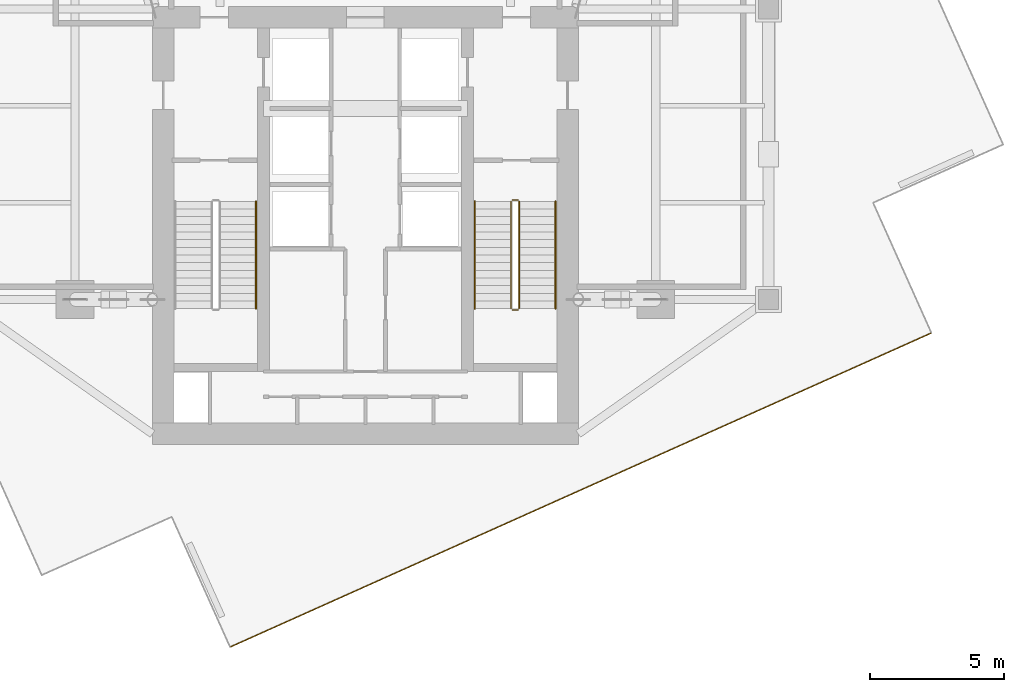
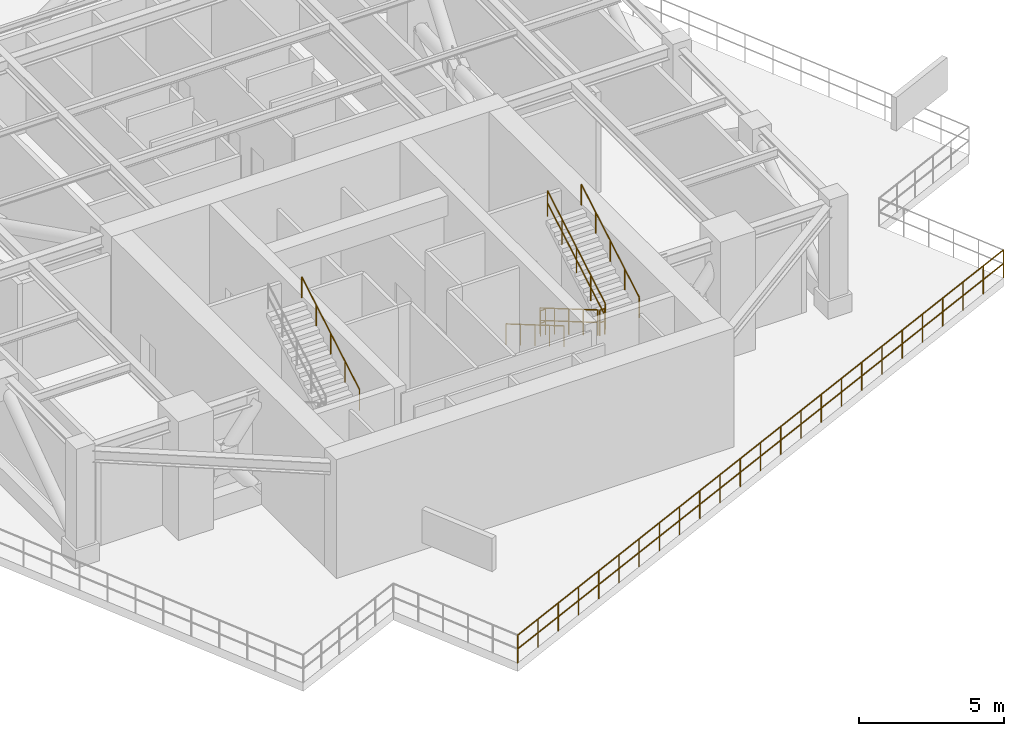
# One storey, part 7 of 8: 8 railings.
"""IFC4 building model written with IfcOpenShell, lengths in metres."""

from ifc_helpers import new_model, si_unit, direction, frame, origin, origin_2d, place, context, subcontext, project, spatial, circle, extrude, material, layer, layer_set, type_object, element, save


model = new_model("IFC4")

# Units and contexts
model_context = context("Model", 3, precision=1e-05, world=origin(), true_north=direction((0.0, 1.0)))
body_context = subcontext(model_context, "Body", "Model", "MODEL_VIEW")
ifc_project = project(units=[si_unit("LENGTHUNIT", "METRE"), si_unit("AREAUNIT", "SQUARE_METRE"), si_unit("VOLUMEUNIT", "CUBIC_METRE"), si_unit("PLANEANGLEUNIT", "RADIAN"), si_unit("MASSUNIT", "GRAM", prefix="KILO")], contexts=[model_context])

# Site, building, storey
site_placement = place(None, origin())
site = spatial("IfcSite", under=ifc_project, at=site_placement, CompositionType="ELEMENT")
building_placement = place(site_placement, origin())
building = spatial("IfcBuilding", under=site, at=building_placement, Name="Krantzveldt Concourse Tower", CompositionType="ELEMENT")
storey_placement = place(building_placement, frame((0.0, 0.0, 318.75)))
storey = spatial("IfcBuildingStorey", under=building, at=storey_placement, Name="L78", CompositionType="ELEMENT", Elevation=318.75)

# Railings
ifc_material = material(Name="Stainless steel 316L", Category="steel")
ifc_layer_1 = layer(ifc_material, 0.080078125, Name="Stainless steel 316L", Category="steel")
ifc_layer_set_1 = layer_set([ifc_layer_1], Name="Stainless steel 316L (RL-BALUSTRADE-1150)")
railing_type_1 = type_object("IfcRailingType", Name="RL-BALUSTRADE-1150", PredefinedType="BALUSTRADE", material=ifc_layer_set_1)
railing_1_placement = place(storey_placement, frame((30.960205078125, 2.967041015625, 0.0)))
element("IfcRailing", 1, at=railing_1_placement, inside=storey, type_object=railing_type_1, Name="GD-L78-WIND-08", PredefinedType="BALUSTRADE", context=body_context, shape_type="SweptSolid", body=[
    extrude(circle(Radius=0.02392578125, at=origin_2d()), frame((0.0, 0.0, 1.17578125), z_axis=(0.912654301784, 0.408732339601, 0.0), x_axis=(-0.408732339601, 0.912654301784, 0.0)), (0.0, 0.0, 1.0), 28.599853515625),
    extrude(circle(Radius=0.02392578125, at=origin_2d()), frame((0.0, 0.0, 0.60009765625), z_axis=(0.912654301784, 0.408732339601, 0.0), x_axis=(-0.408732339601, 0.912654301784, 0.0)), (0.0, 0.0, 1.0), 28.599853515625),
    extrude(circle(Radius=0.02099609375, at=origin_2d()), origin(), (0.0, 0.0, 1.0), 1.15185546875),
    extrude(circle(Radius=0.02099609375, at=origin_2d()), frame((1.087646484375, 0.487060546875, 0.0)), (0.0, 0.0, 1.0), 1.15185546875),
    extrude(circle(Radius=0.02099609375, at=origin_2d()), frame((2.175048828125, 0.97412109375, 0.0)), (0.0, 0.0, 1.0), 1.15185546875),
    extrude(circle(Radius=0.02099609375, at=origin_2d()), frame((3.2626953125, 1.461181640625, 0.0)), (0.0, 0.0, 1.0), 1.15185546875),
    extrude(circle(Radius=0.02099609375, at=origin_2d()), frame((4.350341796875, 1.9482421875, 0.0)), (0.0, 0.0, 1.0), 1.15185546875),
    extrude(circle(Radius=0.02099609375, at=origin_2d()), frame((5.43798828125, 2.435302734375, 0.0)), (0.0, 0.0, 1.0), 1.15185546875),
    extrude(circle(Radius=0.02099609375, at=origin_2d()), frame((6.525390625, 2.92236328125, 0.0)), (0.0, 0.0, 1.0), 1.15185546875),
    extrude(circle(Radius=0.02099609375, at=origin_2d()), frame((7.613037109375, 3.409423828125, 0.0)), (0.0, 0.0, 1.0), 1.15185546875),
    extrude(circle(Radius=0.02099609375, at=origin_2d()), frame((8.70068359375, 3.896484375, 0.0)), (0.0, 0.0, 1.0), 1.15185546875),
    extrude(circle(Radius=0.02099609375, at=origin_2d()), frame((9.7880859375, 4.383544921875, 0.0)), (0.0, 0.0, 1.0), 1.15185546875),
    extrude(circle(Radius=0.02099609375, at=origin_2d()), frame((10.875732421875, 4.87060546875, 0.0)), (0.0, 0.0, 1.0), 1.15185546875),
    extrude(circle(Radius=0.02099609375, at=origin_2d()), frame((11.96337890625, 5.357666015625, 0.0)), (0.0, 0.0, 1.0), 1.15185546875),
    extrude(circle(Radius=0.02099609375, at=origin_2d()), frame((13.05078125, 5.8447265625, 0.0)), (0.0, 0.0, 1.0), 1.15185546875),
    extrude(circle(Radius=0.02099609375, at=origin_2d()), frame((14.138427734375, 6.33203125, 0.0)), (0.0, 0.0, 1.0), 1.15185546875),
    extrude(circle(Radius=0.02099609375, at=origin_2d()), frame((15.22607421875, 6.819091796875, 0.0)), (0.0, 0.0, 1.0), 1.15185546875),
    extrude(circle(Radius=0.02099609375, at=origin_2d()), frame((16.313720703125, 7.30615234375, 0.0)), (0.0, 0.0, 1.0), 1.15185546875),
    extrude(circle(Radius=0.02099609375, at=origin_2d()), frame((17.401123046875, 7.793212890625, 0.0)), (0.0, 0.0, 1.0), 1.15185546875),
    extrude(circle(Radius=0.02099609375, at=origin_2d()), frame((18.48876953125, 8.2802734375, 0.0)), (0.0, 0.0, 1.0), 1.15185546875),
    extrude(circle(Radius=0.02099609375, at=origin_2d()), frame((19.576416015625, 8.767333984375, 0.0)), (0.0, 0.0, 1.0), 1.15185546875),
    extrude(circle(Radius=0.02099609375, at=origin_2d()), frame((20.663818359375, 9.25439453125, 0.0)), (0.0, 0.0, 1.0), 1.15185546875),
    extrude(circle(Radius=0.02099609375, at=origin_2d()), frame((21.75146484375, 9.741455078125, 0.0)), (0.0, 0.0, 1.0), 1.15185546875),
    extrude(circle(Radius=0.02099609375, at=origin_2d()), frame((22.839111328125, 10.228515625, 0.0)), (0.0, 0.0, 1.0), 1.15185546875),
    extrude(circle(Radius=0.02099609375, at=origin_2d()), frame((23.9267578125, 10.715576171875, 0.0)), (0.0, 0.0, 1.0), 1.15185546875),
    extrude(circle(Radius=0.02099609375, at=origin_2d()), frame((25.01416015625, 11.20263671875, 0.0)), (0.0, 0.0, 1.0), 1.15185546875),
    extrude(circle(Radius=0.02099609375, at=origin_2d()), frame((26.101806640625, 11.689697265625, 0.0)), (0.0, 0.0, 1.0), 1.15185546875),
])
ifc_layer_2 = layer(ifc_material, 0.06005859375, Name="Stainless steel 316L", Category="steel")
ifc_layer_set_2 = layer_set([ifc_layer_2], Name="Stainless steel 316L (RL-GUARD-1120)")
railing_type_2 = type_object("IfcRailingType", Name="RL-GUARD-1120", PredefinedType="GUARDRAIL", material=ifc_layer_set_2)
railing_2_placement = place(storey_placement, frame((41.419921875, 19.550048828125, 0.166748046875)))
element("IfcRailing", 2, at=railing_2_placement, inside=storey, type_object=railing_type_2, Name="L78 ST-2 stair guard 1", PredefinedType="GUARDRAIL", context=body_context, shape_type="SweptSolid", body=[
    extrude(circle(Radius=0.02392578125, at=origin_2d()), frame((0.0, 0.0, 1.076171875), z_axis=(0.0, -0.863236243904, 0.504800145811), x_axis=(1.0, 0.0, 0.0)), (0.0, 0.0, 1.0), 4.6220703125),
    extrude(circle(Radius=0.02392578125, at=origin_2d()), frame((0.0, 0.0, 0.550048828125), z_axis=(0.0, -0.863236243904, 0.504800145811), x_axis=(1.0, 0.0, 0.0)), (0.0, 0.0, 1.0), 4.6220703125),
    extrude(circle(Radius=0.02099609375, at=origin_2d()), origin(), (0.0, 0.0, 1.0), 1.052001953125),
    extrude(circle(Radius=0.02099609375, at=origin_2d()), frame((0.0, -0.99755859375, 0.583251953125)), (0.0, 0.0, 1.0), 1.052001953125),
    extrude(circle(Radius=0.02099609375, at=origin_2d()), frame((0.0, -1.9951171875, 1.16650390625)), (0.0, 0.0, 1.0), 1.052001953125),
    extrude(circle(Radius=0.02099609375, at=origin_2d()), frame((0.0, -2.992431640625, 1.75)), (0.0, 0.0, 1.0), 1.052001953125),
    extrude(circle(Radius=0.02099609375, at=origin_2d()), frame((0.0, -3.989990234375, 2.333251953125)), (0.0, 0.0, 1.0), 1.052001953125),
])
railing_3_placement = place(storey_placement, frame((41.469970703125, 15.510009765625, 2.5)))
element("IfcRailing", 3, at=railing_3_placement, inside=storey, type_object=railing_type_2, Name="L78 ST-2 stair guard 2", PredefinedType="GUARDRAIL", context=body_context, shape_type="SweptSolid", body=[
    extrude(circle(Radius=0.02392578125, at=origin_2d()), frame((0.0, 0.0, 1.076171875), z_axis=(1.0, 0.0, 0.0), x_axis=(0.0, 1.0, 0.0)), (0.0, 0.0, 1.0), 0.199951171875),
    extrude(circle(Radius=0.02392578125, at=origin_2d()), frame((0.0, 0.0, 0.550048828125), z_axis=(1.0, 0.0, 0.0), x_axis=(0.0, 1.0, 0.0)), (0.0, 0.0, 1.0), 0.199951171875),
    extrude(circle(Radius=0.02099609375, at=origin_2d()), origin(), (0.0, 0.0, 1.0), 1.052001953125),
    extrude(circle(Radius=0.02099609375, at=origin_2d()), frame((0.199951171875, 0.0, 0.0)), (0.0, 0.0, 1.0), 1.052001953125),
])
railing_4_placement = place(storey_placement, frame((41.719970703125, 15.56005859375, 2.666748046875)))
element("IfcRailing", 4, at=railing_4_placement, inside=storey, type_object=railing_type_2, Name="L78 ST-2 stair guard 3", PredefinedType="GUARDRAIL", context=body_context, shape_type="SweptSolid", body=[
    extrude(circle(Radius=0.02392578125, at=origin_2d()), frame((0.0, 0.0, 1.076171875), z_axis=(0.0, 0.863236243904, 0.504800145811), x_axis=(-1.0, 0.0, 0.0)), (0.0, 0.0, 1.0), 4.6220703125),
    extrude(circle(Radius=0.02392578125, at=origin_2d()), frame((0.0, 0.0, 0.550048828125), z_axis=(0.0, 0.863236243904, 0.504800145811), x_axis=(-1.0, 0.0, 0.0)), (0.0, 0.0, 1.0), 4.6220703125),
    extrude(circle(Radius=0.02099609375, at=origin_2d()), origin(), (0.0, 0.0, 1.0), 1.052001953125),
    extrude(circle(Radius=0.02099609375, at=origin_2d()), frame((0.0, 0.99755859375, 0.583251953125)), (0.0, 0.0, 1.0), 1.052001953125),
    extrude(circle(Radius=0.02099609375, at=origin_2d()), frame((0.0, 1.9951171875, 1.16650390625)), (0.0, 0.0, 1.0), 1.052001953125),
    extrude(circle(Radius=0.02099609375, at=origin_2d()), frame((0.0, 2.992431640625, 1.75)), (0.0, 0.0, 1.0), 1.052001953125),
    extrude(circle(Radius=0.02099609375, at=origin_2d()), frame((0.0, 3.989990234375, 2.333251953125)), (0.0, 0.0, 1.0), 1.052001953125),
])
railing_5_placement = place(storey_placement, frame((41.469970703125, 19.60009765625, 0.0)))
element("IfcRailing", 5, at=railing_5_placement, inside=storey, type_object=railing_type_2, Name="L78 ST-2 stair guard 4", PredefinedType="GUARDRAIL", context=body_context, shape_type="SweptSolid", body=[
    extrude(circle(Radius=0.02392578125, at=origin_2d()), frame((0.0, 0.0, 1.076171875), z_axis=(1.0, 0.0, 0.0), x_axis=(0.0, 1.0, 0.0)), (0.0, 0.0, 1.0), 0.199951171875),
    extrude(circle(Radius=0.02392578125, at=origin_2d()), frame((0.0, 0.0, 0.550048828125), z_axis=(1.0, 0.0, 0.0), x_axis=(0.0, 1.0, 0.0)), (0.0, 0.0, 1.0), 0.199951171875),
    extrude(circle(Radius=0.02099609375, at=origin_2d()), origin(), (0.0, 0.0, 1.0), 1.052001953125),
    extrude(circle(Radius=0.02099609375, at=origin_2d()), frame((0.199951171875, 0.0, 0.0)), (0.0, 0.0, 1.0), 1.052001953125),
])
ifc_layer_3 = layer(ifc_material, 0.050048828125, Name="Stainless steel 316L", Category="steel")
ifc_layer_set_3 = layer_set([ifc_layer_3], Name="Stainless steel 316L (RL-HANDRAIL-920)")
railing_type_3 = type_object("IfcRailingType", Name="RL-HANDRAIL-920", PredefinedType="HANDRAIL", material=ifc_layer_set_3)
railing_6_placement = place(storey_placement, frame((31.929931640625, 15.56005859375, 2.666748046875)))
element("IfcRailing", 6, at=railing_6_placement, inside=storey, type_object=railing_type_3, Name="L78 ST-1 stair handrail 2", PredefinedType="HANDRAIL", context=body_context, shape_type="SweptSolid", body=[
    extrude(circle(Radius=0.02392578125, at=origin_2d()), frame((0.0, 0.0, 0.8759765625), z_axis=(0.0, 0.863236243904, 0.504800145811), x_axis=(-1.0, 0.0, 0.0)), (0.0, 0.0, 1.0), 4.6220703125),
    extrude(circle(Radius=0.02099609375, at=origin_2d()), origin(), (0.0, 0.0, 1.0), 0.851806640625),
    extrude(circle(Radius=0.02099609375, at=origin_2d()), frame((0.0, 0.99755859375, 0.583251953125)), (0.0, 0.0, 1.0), 0.851806640625),
    extrude(circle(Radius=0.02099609375, at=origin_2d()), frame((0.0, 1.9951171875, 1.16650390625)), (0.0, 0.0, 1.0), 0.851806640625),
    extrude(circle(Radius=0.02099609375, at=origin_2d()), frame((0.0, 2.992431640625, 1.75)), (0.0, 0.0, 1.0), 0.851806640625),
    extrude(circle(Radius=0.02099609375, at=origin_2d()), frame((0.0, 3.989990234375, 2.333251953125)), (0.0, 0.0, 1.0), 0.851806640625),
])
railing_7_placement = place(storey_placement, frame((40.070068359375, 19.550048828125, 0.166748046875)))
element("IfcRailing", 7, at=railing_7_placement, inside=storey, type_object=railing_type_3, Name="L78 ST-2 stair handrail 1", PredefinedType="HANDRAIL", context=body_context, shape_type="SweptSolid", body=[
    extrude(circle(Radius=0.02392578125, at=origin_2d()), frame((0.0, 0.0, 0.8759765625), z_axis=(0.0, -0.863236243904, 0.504800145811), x_axis=(1.0, 0.0, 0.0)), (0.0, 0.0, 1.0), 4.6220703125),
    extrude(circle(Radius=0.02099609375, at=origin_2d()), origin(), (0.0, 0.0, 1.0), 0.851806640625),
    extrude(circle(Radius=0.02099609375, at=origin_2d()), frame((0.0, -0.99755859375, 0.583251953125)), (0.0, 0.0, 1.0), 0.851806640625),
    extrude(circle(Radius=0.02099609375, at=origin_2d()), frame((0.0, -1.9951171875, 1.16650390625)), (0.0, 0.0, 1.0), 0.851806640625),
    extrude(circle(Radius=0.02099609375, at=origin_2d()), frame((0.0, -2.992431640625, 1.75)), (0.0, 0.0, 1.0), 0.851806640625),
    extrude(circle(Radius=0.02099609375, at=origin_2d()), frame((0.0, -3.989990234375, 2.333251953125)), (0.0, 0.0, 1.0), 0.851806640625),
])
railing_8_placement = place(storey_placement, frame((43.070068359375, 15.56005859375, 2.666748046875)))
element("IfcRailing", 8, at=railing_8_placement, inside=storey, type_object=railing_type_3, Name="L78 ST-2 stair handrail 2", PredefinedType="HANDRAIL", context=body_context, shape_type="SweptSolid", body=[
    extrude(circle(Radius=0.02392578125, at=origin_2d()), frame((0.0, 0.0, 0.8759765625), z_axis=(0.0, 0.863236243904, 0.504800145811), x_axis=(-1.0, 0.0, 0.0)), (0.0, 0.0, 1.0), 4.6220703125),
    extrude(circle(Radius=0.02099609375, at=origin_2d()), origin(), (0.0, 0.0, 1.0), 0.851806640625),
    extrude(circle(Radius=0.02099609375, at=origin_2d()), frame((0.0, 0.99755859375, 0.583251953125)), (0.0, 0.0, 1.0), 0.851806640625),
    extrude(circle(Radius=0.02099609375, at=origin_2d()), frame((0.0, 1.9951171875, 1.16650390625)), (0.0, 0.0, 1.0), 0.851806640625),
    extrude(circle(Radius=0.02099609375, at=origin_2d()), frame((0.0, 2.992431640625, 1.75)), (0.0, 0.0, 1.0), 0.851806640625),
    extrude(circle(Radius=0.02099609375, at=origin_2d()), frame((0.0, 3.989990234375, 2.333251953125)), (0.0, 0.0, 1.0), 0.851806640625),
])

save(model, "model.ifc")
